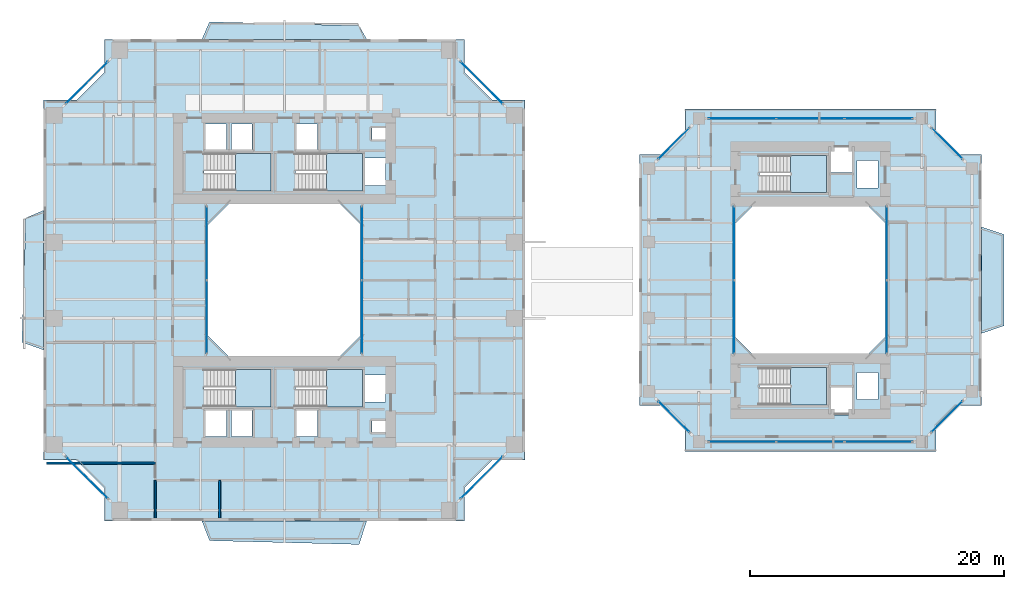
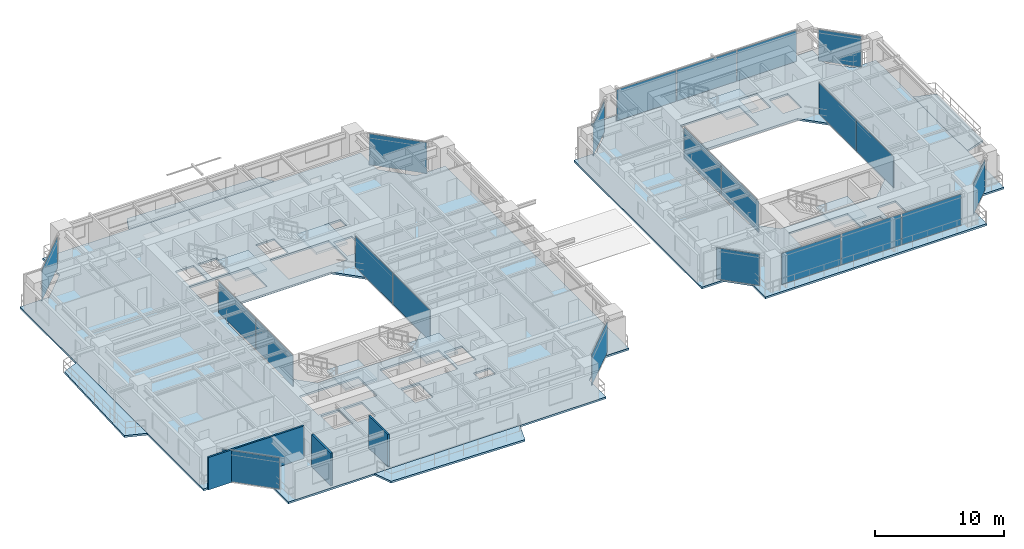
# One storey, part 10 of 23: 22 plates, 12 slabs, 3 walls, 20 elements without a shape of their own.
"""IFC4 building model written with IfcOpenShell, lengths in metres."""

from ifc_helpers import new_model, si_unit, direction, frame, frame_2d, origin, origin_2d, place, context, subcontext, project, spatial, polyline, rectangle, outline, extrude, source, transform, mapped, material, layer, layer_set, type_object, element, aggregate, save


model = new_model("IFC4")

# Units and contexts
model_context = context("Model", 3, precision=1e-05, world=origin(), true_north=direction((0.0, 1.0)))
body_context = subcontext(model_context, "Body", "Model", "MODEL_VIEW")
ifc_project = project(units=[si_unit("LENGTHUNIT", "METRE"), si_unit("AREAUNIT", "SQUARE_METRE"), si_unit("VOLUMEUNIT", "CUBIC_METRE"), si_unit("PLANEANGLEUNIT", "RADIAN"), si_unit("MASSUNIT", "GRAM", prefix="KILO"), si_unit("THERMODYNAMICTEMPERATUREUNIT", "KELVIN"), si_unit("POWERUNIT", "WATT")], contexts=[model_context])

# Site, building, storey
site_placement = place(None, origin())
site = spatial("IfcSite", under=ifc_project, at=site_placement, CompositionType="ELEMENT")
building_placement = place(site_placement, origin())
building = spatial("IfcBuilding", under=site, at=building_placement, Name="Qiaomeng Ring Towers", CompositionType="ELEMENT")
storey_placement = place(building_placement, frame((0.0, 0.0, 50.25)))
storey = spatial("IfcBuildingStorey", under=building, at=storey_placement, Name="L13", CompositionType="ELEMENT", Elevation=50.25)

# Slabs
ifc_material_1 = material(Name="Concrete C40", Category="concrete")
ifc_layer_1 = layer(ifc_material_1, 0.179931640625, Name="Concrete C40")
ifc_layer_set_1 = layer_set([ifc_layer_1], Name="Concrete C40")
slab_type_1 = type_object("IfcSlabType", Name="STR-SL-180", PredefinedType="FLOOR", material=ifc_layer_set_1)
slab_1_placement = place(storey_placement, frame((0.0, 0.0, -0.179931640625)))
element("IfcSlab", 1, at=slab_1_placement, inside=storey, type_object=slab_type_1, Name="L13 Tower 1 Annular Floor Slab", PredefinedType="FLOOR", context=body_context, shape_type="SweptSolid", body=[
    extrude(outline(polyline([(4.800048828125, 4.0), (33.199951171875, 4.0), (33.199951171875, 6.60009765625), (35.39990234375, 8.800048828125), (38.0, 8.800048828125), (38.0, 37.199951171875), (35.39990234375, 37.199951171875), (33.199951171875, 39.39990234375), (33.199951171875, 42.0), (4.800048828125, 42.0), (4.800048828125, 39.39990234375), (2.60009765625, 37.199951171875), (0.0, 37.199951171875), (0.0, 8.800048828125), (2.60009765625, 8.800048828125), (4.800048828125, 6.60009765625), (4.800048828125, 4.0)]), holes=[polyline([(12.780029296875, 10.679931640625), (12.780029296875, 12.820068359375), (14.419921875, 12.820068359375), (14.419921875, 10.679931640625), (12.780029296875, 10.679931640625)]), polyline([(14.830078125, 12.820068359375), (16.469970703125, 12.820068359375), (16.469970703125, 10.679931640625), (14.830078125, 10.679931640625), (14.830078125, 12.820068359375)]), polyline([(12.679931640625, 15.949951171875), (17.949951171875, 15.949951171875), (17.949951171875, 13.010009765625), (12.679931640625, 13.010009765625), (12.679931640625, 15.949951171875)]), polyline([(25.199951171875, 27.199951171875), (25.199951171875, 18.800048828125), (23.199951171875, 16.800048828125), (14.800048828125, 16.800048828125), (12.800048828125, 18.800048828125), (12.800048828125, 27.199951171875), (14.800048828125, 29.199951171875), (23.199951171875, 29.199951171875), (25.199951171875, 27.199951171875)]), polyline([(12.679931640625, 32.989990234375), (17.949951171875, 32.989990234375), (17.949951171875, 30.050048828125), (12.679931640625, 30.050048828125), (12.679931640625, 32.989990234375)]), polyline([(12.780029296875, 35.320068359375), (14.419921875, 35.320068359375), (14.419921875, 33.179931640625), (12.780029296875, 33.179931640625), (12.780029296875, 35.320068359375)]), polyline([(14.830078125, 35.320068359375), (16.469970703125, 35.320068359375), (16.469970703125, 33.179931640625), (14.830078125, 33.179931640625), (14.830078125, 35.320068359375)]), polyline([(19.97998046875, 35.320068359375), (21.6201171875, 35.320068359375), (21.6201171875, 33.179931640625), (19.97998046875, 33.179931640625), (19.97998046875, 35.320068359375)]), polyline([(25.919921875, 11.89990234375), (27.360107421875, 11.89990234375), (27.360107421875, 11.0), (25.919921875, 11.0), (25.919921875, 11.89990234375)]), polyline([(19.97998046875, 12.820068359375), (21.6201171875, 12.820068359375), (21.6201171875, 10.679931640625), (19.97998046875, 10.679931640625), (19.97998046875, 12.820068359375)]), polyline([(25.360107421875, 15.52001953125), (27.0, 15.52001953125), (27.0, 13.3798828125), (25.360107421875, 13.3798828125), (25.360107421875, 15.52001953125)]), polyline([(19.8798828125, 15.949951171875), (25.14990234375, 15.949951171875), (25.14990234375, 13.010009765625), (19.8798828125, 13.010009765625), (19.8798828125, 15.949951171875)]), polyline([(19.8798828125, 32.989990234375), (25.14990234375, 32.989990234375), (25.14990234375, 30.050048828125), (19.8798828125, 30.050048828125), (19.8798828125, 32.989990234375)]), polyline([(25.360107421875, 32.6201171875), (27.0, 32.6201171875), (27.0, 30.47998046875), (25.360107421875, 30.47998046875), (25.360107421875, 32.6201171875)]), polyline([(25.919921875, 35.0), (27.360107421875, 35.0), (27.360107421875, 34.10009765625), (25.919921875, 34.10009765625), (25.919921875, 35.0)])]), origin(), (0.0, 0.0, 1.0), 0.179931640625),
])
slab_2_placement = place(storey_placement, frame((0.0, 0.0, -0.179931640625)))
element("IfcSlab", 2, at=slab_2_placement, inside=storey, type_object=slab_type_1, Name="L13 Companion Tower 2 Annular Floor Slab", PredefinedType="FLOOR", context=body_context, shape_type="SweptSolid", body=[
    extrude(outline(polyline([(50.60009765625, 9.5), (70.39990234375, 9.5), (70.39990234375, 11.5), (72.0, 13.10009765625), (74.0, 13.10009765625), (74.0, 32.89990234375), (72.0, 32.89990234375), (70.39990234375, 34.5), (70.39990234375, 36.5), (50.60009765625, 36.5), (50.60009765625, 34.5), (49.0, 32.89990234375), (47.0, 32.89990234375), (47.0, 13.10009765625), (49.0, 13.10009765625), (50.60009765625, 11.5), (50.60009765625, 9.5)]), holes=[polyline([(62.1298828125, 12.3798828125), (62.1298828125, 14.52001953125), (63.77001953125, 14.52001953125), (63.77001953125, 12.3798828125), (62.1298828125, 12.3798828125)]), polyline([(56.47998046875, 13.159912109375), (56.47998046875, 16.10009765625), (61.75, 16.10009765625), (61.75, 13.159912109375), (56.47998046875, 13.159912109375)]), polyline([(64.179931640625, 13.580078125), (64.179931640625, 15.719970703125), (65.820068359375, 15.719970703125), (65.820068359375, 13.580078125), (64.179931640625, 13.580078125)]), polyline([(64.800048828125, 29.10009765625), (66.60009765625, 27.300048828125), (66.60009765625, 18.699951171875), (64.800048828125, 16.89990234375), (56.199951171875, 16.89990234375), (54.39990234375, 18.699951171875), (54.39990234375, 27.300048828125), (56.199951171875, 29.10009765625), (64.800048828125, 29.10009765625)]), polyline([(64.179931640625, 30.280029296875), (64.179931640625, 32.419921875), (65.820068359375, 32.419921875), (65.820068359375, 30.280029296875), (64.179931640625, 30.280029296875)]), polyline([(56.47998046875, 32.840087890625), (61.75, 32.840087890625), (61.75, 29.89990234375), (56.47998046875, 29.89990234375), (56.47998046875, 32.840087890625)]), polyline([(62.1298828125, 33.6201171875), (63.77001953125, 33.6201171875), (63.77001953125, 31.47998046875), (62.1298828125, 31.47998046875), (62.1298828125, 33.6201171875)])]), origin(), (0.0, 0.0, 1.0), 0.179931640625),
])
ifc_layer_2 = layer(ifc_material_1, 0.179931640625, Name="Concrete C40")
ifc_layer_set_2 = layer_set([ifc_layer_2], Name="Concrete C40")
slab_type_2 = type_object("IfcSlabType", Name="STR-SL-BAL", PredefinedType="FLOOR", material=ifc_layer_set_2)
slab_3_placement = place(storey_placement, frame((0.0, 0.0, -0.179931640625)))
element("IfcSlab", 3, at=slab_3_placement, inside=storey, type_object=slab_type_2, Name="L13 Tower 1 S Faceted Balcony Slab", PredefinedType="FLOOR", context=body_context, shape_type="SweptSolid", body=[
    extrude(outline(polyline([(24.89990234375, 2.14990234375), (13.10009765625, 2.449951171875), (12.5, 4.0), (25.5, 4.0), (24.89990234375, 2.14990234375)])), origin(), (0.0, 0.0, 1.0), 0.179931640625),
])
slab_4_placement = place(storey_placement, frame((0.0, 0.0, -0.179931640625)))
element("IfcSlab", 4, at=slab_4_placement, inside=storey, type_object=slab_type_2, Name="L13 Tower 1 N Faceted Balcony Slab", PredefinedType="FLOOR", context=body_context, shape_type="SweptSolid", body=[
    extrude(outline(polyline([(12.5, 42.0), (13.10009765625, 43.3701171875), (24.89990234375, 43.070068359375), (25.5, 42.0), (12.5, 42.0)])), origin(), (0.0, 0.0, 1.0), 0.179931640625),
])
slab_5_placement = place(storey_placement, frame((0.0, 0.0, -0.179931640625)))
element("IfcSlab", 5, at=slab_5_placement, inside=storey, type_object=slab_type_2, Name="L13 Tower 1 W Faceted Balcony Slab", PredefinedType="FLOOR", context=body_context, shape_type="SweptSolid", body=[
    extrude(outline(polyline([(0.0, 17.5), (-1.699951171875, 18.10009765625), (-1.39990234375, 27.89990234375), (0.0, 28.5), (0.0, 17.5)])), origin(), (0.0, 0.0, 1.0), 0.179931640625),
])
slab_6_placement = place(storey_placement, frame((0.0, 0.0, -0.179931640625)))
element("IfcSlab", 6, at=slab_6_placement, inside=storey, type_object=slab_type_2, Name="L13 Companion East Faceted Balcony Slab", PredefinedType="FLOOR", context=body_context, shape_type="SweptSolid", body=[
    extrude(outline(polyline([(75.77001953125, 26.60009765625), (75.77001953125, 19.39990234375), (74.0, 18.800048828125), (74.0, 27.199951171875), (75.77001953125, 26.60009765625)])), origin(), (0.0, 0.0, 1.0), 0.179931640625),
])

# Stair, slab
ifc_material_2 = material(Name="Precast concrete C40", Category="concrete")
stair_type = type_object("IfcStairType", Name="ARC-ST-325", PredefinedType="HALF_TURN_STAIR", material=ifc_material_2)
stair_1_placement = place(storey_placement, origin())
stair_1 = element("IfcStair", 7, at=stair_1_placement, inside=storey, type_object=stair_type, Name="L13 Tower 1 North Stair 1", PredefinedType="HALF_TURN_STAIR")
ifc_layer_3 = layer(ifc_material_1, 0.199951171875, Name="Concrete C40")
ifc_layer_set_3 = layer_set([ifc_layer_3], Name="Concrete C40")
slab_type_3 = type_object("IfcSlabType", Name="STR-SL-LANDING", PredefinedType="LANDING", material=ifc_layer_set_3)
slab_7_placement = place(storey_placement, frame((0.0, 0.0, 1.425048828125)))
slab_7 = element("IfcSlab", 8, at=slab_7_placement, type_object=slab_type_3, Name="ST1 landing 1", PredefinedType="LANDING", context=body_context, shape_type="SweptSolid", body=[
    extrude(outline(polyline([(15.139892578125, 30.050048828125), (17.949951171875, 30.050048828125), (17.949951171875, 32.989990234375), (15.139892578125, 32.989990234375), (15.139892578125, 30.050048828125)])), origin(), (0.0, 0.0, 1.0), 0.199951171875),
])
aggregate(stair_1, [slab_7])

stair_2_placement = place(storey_placement, origin())
stair_2 = element("IfcStair", 9, at=stair_2_placement, inside=storey, type_object=stair_type, Name="L13 Tower 1 North Stair 2", PredefinedType="HALF_TURN_STAIR")
slab_8_placement = place(storey_placement, frame((0.0, 0.0, 1.425048828125)))
slab_8 = element("IfcSlab", 10, at=slab_8_placement, type_object=slab_type_3, Name="ST2 landing 1", PredefinedType="LANDING", context=body_context, shape_type="SweptSolid", body=[
    extrude(outline(polyline([(22.340087890625, 30.050048828125), (25.14990234375, 30.050048828125), (25.14990234375, 32.989990234375), (22.340087890625, 32.989990234375), (22.340087890625, 30.050048828125)])), origin(), (0.0, 0.0, 1.0), 0.199951171875),
])
aggregate(stair_2, [slab_8])

stair_3_placement = place(storey_placement, origin())
stair_3 = element("IfcStair", 11, at=stair_3_placement, inside=storey, type_object=stair_type, Name="L13 Tower 1 South Stair 3", PredefinedType="HALF_TURN_STAIR")
slab_9_placement = place(storey_placement, frame((0.0, 0.0, 1.425048828125)))
slab_9 = element("IfcSlab", 12, at=slab_9_placement, type_object=slab_type_3, Name="ST3 landing 1", PredefinedType="LANDING", context=body_context, shape_type="SweptSolid", body=[
    extrude(outline(polyline([(15.139892578125, 13.010009765625), (17.949951171875, 13.010009765625), (17.949951171875, 15.949951171875), (15.139892578125, 15.949951171875), (15.139892578125, 13.010009765625)])), origin(), (0.0, 0.0, 1.0), 0.199951171875),
])
aggregate(stair_3, [slab_9])

stair_4_placement = place(storey_placement, origin())
stair_4 = element("IfcStair", 13, at=stair_4_placement, inside=storey, type_object=stair_type, Name="L13 Tower 1 South Stair 4", PredefinedType="HALF_TURN_STAIR")
slab_10_placement = place(storey_placement, frame((0.0, 0.0, 1.425048828125)))
slab_10 = element("IfcSlab", 14, at=slab_10_placement, type_object=slab_type_3, Name="ST4 landing 1", PredefinedType="LANDING", context=body_context, shape_type="SweptSolid", body=[
    extrude(outline(polyline([(22.340087890625, 13.010009765625), (25.14990234375, 13.010009765625), (25.14990234375, 15.949951171875), (22.340087890625, 15.949951171875), (22.340087890625, 13.010009765625)])), origin(), (0.0, 0.0, 1.0), 0.199951171875),
])
aggregate(stair_4, [slab_10])

stair_5_placement = place(storey_placement, origin())
stair_5 = element("IfcStair", 15, at=stair_5_placement, inside=storey, type_object=stair_type, Name="L13 Companion North Stair 5", PredefinedType="HALF_TURN_STAIR")
slab_11_placement = place(storey_placement, frame((0.0, 0.0, 1.425048828125)))
slab_11 = element("IfcSlab", 16, at=slab_11_placement, type_object=slab_type_3, Name="ST5 landing 1", PredefinedType="LANDING", context=body_context, shape_type="SweptSolid", body=[
    extrude(outline(polyline([(58.93994140625, 29.89990234375), (61.75, 29.89990234375), (61.75, 32.840087890625), (58.93994140625, 32.840087890625), (58.93994140625, 29.89990234375)])), origin(), (0.0, 0.0, 1.0), 0.199951171875),
])
aggregate(stair_5, [slab_11])

stair_6_placement = place(storey_placement, origin())
stair_6 = element("IfcStair", 17, at=stair_6_placement, inside=storey, type_object=stair_type, Name="L13 Companion South Stair 6", PredefinedType="HALF_TURN_STAIR")
slab_12_placement = place(storey_placement, frame((0.0, 0.0, 1.425048828125)))
slab_12 = element("IfcSlab", 18, at=slab_12_placement, type_object=slab_type_3, Name="ST6 landing 1", PredefinedType="LANDING", context=body_context, shape_type="SweptSolid", body=[
    extrude(outline(polyline([(58.93994140625, 13.159912109375), (61.75, 13.159912109375), (61.75, 16.10009765625), (58.93994140625, 16.10009765625), (58.93994140625, 13.159912109375)])), origin(), (0.0, 0.0, 1.0), 0.199951171875),
])
aggregate(stair_6, [slab_12])

# Curtain wall, plates
ifc_material_3 = material(Name="Fluorocarbon dark-grey aluminium", Category="aluminium")
ifc_layer_4 = layer(ifc_material_3, 0.139892578125, Name="Fluorocarbon dark-grey aluminium")
ifc_layer_set_4 = layer_set([ifc_layer_4], Name="Fluorocarbon dark-grey aluminium")
curtain_wall_type_1 = type_object("IfcCurtainWallType", Name="ARC-CW-4", PredefinedType="NOTDEFINED", material=ifc_layer_set_4)
curtain_wall_1_placement = place(storey_placement, origin())
curtain_wall_1 = element("IfcCurtainWall", 19, at=curtain_wall_1_placement, inside=storey, type_object=curtain_wall_type_1, Name="L13 Curtain Wall CW4", PredefinedType="NOTDEFINED")
ifc_material_4 = material(Name="Low-E dark-grey laminated double glazing", Category="glass")
ifc_layer_5 = layer(ifc_material_4, 0.028076171875, Name="Low-E dark-grey laminated double glazing")
ifc_layer_set_5 = layer_set([ifc_layer_5], Name="Low-E dark-grey laminated double glazing")
plate_type = type_object("IfcPlateType", Name="ARC-CWP-DARK", PredefinedType="CURTAIN_PANEL", material=ifc_layer_set_5)
shared_shape_1 = source(origin(), body_context, "Body", "SweptSolid", [
    extrude(rectangle(XDim=5.75244140625, YDim=0.028076171875, at=origin_2d()), origin(), (0.0, 0.0, 1.0), 2.93994140625),
])
plate_1_placement = place(storey_placement, frame((12.8798828125, 20.09130859375, 0.06494140625), z_axis=(0.0, 0.0, 1.0), x_axis=(0.0, 1.0, 0.0)))
plate_1 = element("IfcPlate", 20, at=plate_1_placement, type_object=plate_type, Name="CW4 panel 1.1", PredefinedType="CURTAIN_PANEL", context=body_context, shape_type="MappedRepresentation", body=[
    mapped(shared_shape_1, transform((0.0, 0.0, 0.0), x_axis=(1.0, 0.0, 0.0), y_axis=(0.0, 1.0, 0.0), z_axis=(0.0, 0.0, 1.0), scale=1.0)),
])
plate_2_placement = place(storey_placement, frame((12.8798828125, 25.90869140625, 0.06494140625), z_axis=(0.0, 0.0, 1.0), x_axis=(0.0, 1.0, 0.0)))
plate_2 = element("IfcPlate", 21, at=plate_2_placement, type_object=plate_type, Name="CW4 panel 2.1", PredefinedType="CURTAIN_PANEL", context=body_context, shape_type="MappedRepresentation", body=[
    mapped(shared_shape_1, transform((0.0, 0.0, 0.0), x_axis=(1.0, 0.0, 0.0), y_axis=(0.0, 1.0, 0.0), z_axis=(0.0, 0.0, 1.0), scale=1.0)),
])
aggregate(curtain_wall_1, [plate_1, plate_2])

curtain_wall_2_placement = place(storey_placement, origin())
curtain_wall_2 = element("IfcCurtainWall", 22, at=curtain_wall_2_placement, inside=storey, type_object=curtain_wall_type_1, Name="L13 Curtain Wall CW4", PredefinedType="NOTDEFINED")
plate_3_placement = place(storey_placement, frame((25.1201171875, 20.09130859375, 0.06494140625), z_axis=(0.0, 0.0, 1.0), x_axis=(0.0, 1.0, 0.0)))
plate_3 = element("IfcPlate", 23, at=plate_3_placement, type_object=plate_type, Name="CW4 panel 1.1", PredefinedType="CURTAIN_PANEL", context=body_context, shape_type="MappedRepresentation", body=[
    mapped(shared_shape_1, transform((0.0, 0.0, 0.0), x_axis=(1.0, 0.0, 0.0), y_axis=(0.0, 1.0, 0.0), z_axis=(0.0, 0.0, 1.0), scale=1.0)),
])
plate_4_placement = place(storey_placement, frame((25.1201171875, 25.90869140625, 0.06494140625), z_axis=(0.0, 0.0, 1.0), x_axis=(0.0, 1.0, 0.0)))
plate_4 = element("IfcPlate", 24, at=plate_4_placement, type_object=plate_type, Name="CW4 panel 2.1", PredefinedType="CURTAIN_PANEL", context=body_context, shape_type="MappedRepresentation", body=[
    mapped(shared_shape_1, transform((0.0, 0.0, 0.0), x_axis=(1.0, 0.0, 0.0), y_axis=(0.0, 1.0, 0.0), z_axis=(0.0, 0.0, 1.0), scale=1.0)),
])
aggregate(curtain_wall_2, [plate_3, plate_4])

curtain_wall_3_placement = place(storey_placement, origin())
curtain_wall_3 = element("IfcCurtainWall", 25, at=curtain_wall_3_placement, inside=storey, type_object=curtain_wall_type_1, Name="L13 Curtain Wall CW4", PredefinedType="NOTDEFINED")
plate_5_placement = place(storey_placement, frame((54.47998046875, 20.09130859375, 0.06494140625), z_axis=(0.0, 0.0, 1.0), x_axis=(0.0, 1.0, 0.0)))
plate_5 = element("IfcPlate", 26, at=plate_5_placement, type_object=plate_type, Name="CW4 panel 1.1", PredefinedType="CURTAIN_PANEL", context=body_context, shape_type="MappedRepresentation", body=[
    mapped(shared_shape_1, transform((0.0, 0.0, 0.0), x_axis=(1.0, 0.0, 0.0), y_axis=(0.0, 1.0, 0.0), z_axis=(0.0, 0.0, 1.0), scale=1.0)),
])
plate_6_placement = place(storey_placement, frame((54.47998046875, 25.90869140625, 0.06494140625), z_axis=(0.0, 0.0, 1.0), x_axis=(0.0, 1.0, 0.0)))
plate_6 = element("IfcPlate", 27, at=plate_6_placement, type_object=plate_type, Name="CW4 panel 2.1", PredefinedType="CURTAIN_PANEL", context=body_context, shape_type="MappedRepresentation", body=[
    mapped(shared_shape_1, transform((0.0, 0.0, 0.0), x_axis=(1.0, 0.0, 0.0), y_axis=(0.0, 1.0, 0.0), z_axis=(0.0, 0.0, 1.0), scale=1.0)),
])
aggregate(curtain_wall_3, [plate_5, plate_6])

curtain_wall_4_placement = place(storey_placement, origin())
curtain_wall_4 = element("IfcCurtainWall", 28, at=curtain_wall_4_placement, inside=storey, type_object=curtain_wall_type_1, Name="L13 Curtain Wall CW4", PredefinedType="NOTDEFINED")
plate_7_placement = place(storey_placement, frame((66.52001953125, 20.09130859375, 0.06494140625), z_axis=(0.0, 0.0, 1.0), x_axis=(0.0, 1.0, 0.0)))
plate_7 = element("IfcPlate", 29, at=plate_7_placement, type_object=plate_type, Name="CW4 panel 1.1", PredefinedType="CURTAIN_PANEL", context=body_context, shape_type="MappedRepresentation", body=[
    mapped(shared_shape_1, transform((0.0, 0.0, 0.0), x_axis=(1.0, 0.0, 0.0), y_axis=(0.0, 1.0, 0.0), z_axis=(0.0, 0.0, 1.0), scale=1.0)),
])
plate_8_placement = place(storey_placement, frame((66.52001953125, 25.90869140625, 0.06494140625), z_axis=(0.0, 0.0, 1.0), x_axis=(0.0, 1.0, 0.0)))
plate_8 = element("IfcPlate", 30, at=plate_8_placement, type_object=plate_type, Name="CW4 panel 2.1", PredefinedType="CURTAIN_PANEL", context=body_context, shape_type="MappedRepresentation", body=[
    mapped(shared_shape_1, transform((0.0, 0.0, 0.0), x_axis=(1.0, 0.0, 0.0), y_axis=(0.0, 1.0, 0.0), z_axis=(0.0, 0.0, 1.0), scale=1.0)),
])
aggregate(curtain_wall_4, [plate_7, plate_8])

# Curtain wall, plate
ifc_layer_6 = layer(ifc_material_3, 0.159912109375, Name="Fluorocarbon dark-grey aluminium")
ifc_layer_set_6 = layer_set([ifc_layer_6], Name="Fluorocarbon dark-grey aluminium")
curtain_wall_type_2 = type_object("IfcCurtainWallType", Name="ARC-CW-2", PredefinedType="NOTDEFINED", material=ifc_layer_set_6)
curtain_wall_5_placement = place(storey_placement, origin())
curtain_wall_5 = element("IfcCurtainWall", 31, at=curtain_wall_5_placement, inside=storey, type_object=curtain_wall_type_2, Name="L13 Curtain Wall CW2", PredefinedType="NOTDEFINED")
shared_shape_2 = source(origin(), body_context, "Body", "SweptSolid", [
    extrude(rectangle(XDim=4.6259765625, YDim=0.028076171875, at=origin_2d()), origin(), (0.0, 0.0, 1.0), 2.93994140625),
])
plate_9_placement = place(storey_placement, frame((34.574951171875, 7.425048828125, 0.06494140625), z_axis=(0.0, 0.0, 1.0), x_axis=(0.707106781187, 0.707106781187, 0.0)))
plate_9 = element("IfcPlate", 32, at=plate_9_placement, type_object=plate_type, Name="CW2 panel 1.1", PredefinedType="CURTAIN_PANEL", context=body_context, shape_type="MappedRepresentation", body=[
    mapped(shared_shape_2, transform((0.0, 0.0, 0.0), x_axis=(1.0, 0.0, 0.0), y_axis=(0.0, 1.0, 0.0), z_axis=(0.0, 0.0, 1.0), scale=1.0)),
])
aggregate(curtain_wall_5, [plate_9])

curtain_wall_6_placement = place(storey_placement, origin())
curtain_wall_6 = element("IfcCurtainWall", 33, at=curtain_wall_6_placement, inside=storey, type_object=curtain_wall_type_2, Name="L13 Curtain Wall CW2", PredefinedType="NOTDEFINED")
plate_10_placement = place(storey_placement, frame((34.574951171875, 38.574951171875, 0.06494140625), z_axis=(0.0, 0.0, 1.0), x_axis=(-0.707106781187, 0.707106781187, 0.0)))
plate_10 = element("IfcPlate", 34, at=plate_10_placement, type_object=plate_type, Name="CW2 panel 1.1", PredefinedType="CURTAIN_PANEL", context=body_context, shape_type="MappedRepresentation", body=[
    mapped(shared_shape_2, transform((0.0, 0.0, 0.0), x_axis=(1.0, 0.0, 0.0), y_axis=(0.0, 1.0, 0.0), z_axis=(0.0, 0.0, 1.0), scale=1.0)),
])
aggregate(curtain_wall_6, [plate_10])

curtain_wall_7_placement = place(storey_placement, origin())
curtain_wall_7 = element("IfcCurtainWall", 35, at=curtain_wall_7_placement, inside=storey, type_object=curtain_wall_type_2, Name="L13 Curtain Wall CW2", PredefinedType="NOTDEFINED")
plate_11_placement = place(storey_placement, frame((3.425048828125, 38.574951171875, 0.06494140625), z_axis=(0.0, 0.0, 1.0), x_axis=(-0.707106781187, -0.707106781187, 0.0)))
plate_11 = element("IfcPlate", 36, at=plate_11_placement, type_object=plate_type, Name="CW2 panel 1.1", PredefinedType="CURTAIN_PANEL", context=body_context, shape_type="MappedRepresentation", body=[
    mapped(shared_shape_2, transform((0.0, 0.0, 0.0), x_axis=(1.0, 0.0, 0.0), y_axis=(0.0, 1.0, 0.0), z_axis=(0.0, 0.0, 1.0), scale=1.0)),
])
aggregate(curtain_wall_7, [plate_11])

curtain_wall_8_placement = place(storey_placement, origin())
curtain_wall_8 = element("IfcCurtainWall", 37, at=curtain_wall_8_placement, inside=storey, type_object=curtain_wall_type_2, Name="L13 Curtain Wall CW2", PredefinedType="NOTDEFINED")
plate_12_placement = place(storey_placement, frame((3.425048828125, 7.425048828125, 0.06494140625), z_axis=(0.0, 0.0, 1.0), x_axis=(0.707106781187, -0.707106781187, 0.0)))
plate_12 = element("IfcPlate", 38, at=plate_12_placement, type_object=plate_type, Name="CW2 panel 1.1", PredefinedType="CURTAIN_PANEL", context=body_context, shape_type="MappedRepresentation", body=[
    mapped(shared_shape_2, transform((0.0, 0.0, 0.0), x_axis=(1.0, 0.0, 0.0), y_axis=(0.0, 1.0, 0.0), z_axis=(0.0, 0.0, 1.0), scale=1.0)),
])
aggregate(curtain_wall_8, [plate_12])

# Curtain wall, plates
ifc_layer_7 = layer(ifc_material_3, 0.14990234375, Name="Fluorocarbon dark-grey aluminium")
ifc_layer_set_7 = layer_set([ifc_layer_7], Name="Fluorocarbon dark-grey aluminium")
curtain_wall_type_3 = type_object("IfcCurtainWallType", Name="ARC-CW-5", PredefinedType="NOTDEFINED", material=ifc_layer_set_7)
curtain_wall_9_placement = place(storey_placement, origin())
curtain_wall_9 = element("IfcCurtainWall", 39, at=curtain_wall_9_placement, inside=storey, type_object=curtain_wall_type_3, Name="L13 Curtain Wall CW5", PredefinedType="NOTDEFINED")
shared_shape_3 = source(origin(), body_context, "Body", "SweptSolid", [
    extrude(rectangle(XDim=5.284912109375, YDim=0.028076171875, at=origin_2d()), origin(), (0.0, 0.0, 1.0), 2.93994140625),
])
plate_13_placement = place(storey_placement, frame((55.12744140625, 35.75, 0.06494140625), z_axis=(0.0, 0.0, 1.0), x_axis=(1.0, 0.0, 0.0)))
plate_13 = element("IfcPlate", 40, at=plate_13_placement, type_object=plate_type, Name="CW5 panel 1.1", PredefinedType="CURTAIN_PANEL", context=body_context, shape_type="MappedRepresentation", body=[
    mapped(shared_shape_3, transform((0.0, 0.0, 0.0), x_axis=(1.0, 0.0, 0.0), y_axis=(0.0, 1.0, 0.0), z_axis=(0.0, 0.0, 1.0), scale=1.0)),
])
plate_14_placement = place(storey_placement, frame((65.87255859375, 35.75, 0.06494140625), z_axis=(0.0, 0.0, 1.0), x_axis=(1.0, 0.0, 0.0)))
plate_14 = element("IfcPlate", 41, at=plate_14_placement, type_object=plate_type, Name="CW5 panel 3.1", PredefinedType="CURTAIN_PANEL", context=body_context, shape_type="MappedRepresentation", body=[
    mapped(shared_shape_3, transform((0.0, 0.0, 0.0), x_axis=(1.0, 0.0, 0.0), y_axis=(0.0, 1.0, 0.0), z_axis=(0.0, 0.0, 1.0), scale=1.0)),
])

curtain_wall_10_placement = place(storey_placement, origin())
curtain_wall_10 = element("IfcCurtainWall", 42, at=curtain_wall_10_placement, inside=storey, type_object=curtain_wall_type_3, Name="L13 Curtain Wall CW5", PredefinedType="NOTDEFINED")
plate_15_placement = place(storey_placement, frame((55.12744140625, 10.25, 0.06494140625), z_axis=(0.0, 0.0, 1.0), x_axis=(1.0, 0.0, 0.0)))
plate_15 = element("IfcPlate", 43, at=plate_15_placement, type_object=plate_type, Name="CW5 panel 1.1", PredefinedType="CURTAIN_PANEL", context=body_context, shape_type="MappedRepresentation", body=[
    mapped(shared_shape_3, transform((0.0, 0.0, 0.0), x_axis=(1.0, 0.0, 0.0), y_axis=(0.0, 1.0, 0.0), z_axis=(0.0, 0.0, 1.0), scale=1.0)),
])
plate_16_placement = place(storey_placement, frame((65.87255859375, 10.25, 0.06494140625), z_axis=(0.0, 0.0, 1.0), x_axis=(1.0, 0.0, 0.0)))
plate_16 = element("IfcPlate", 44, at=plate_16_placement, type_object=plate_type, Name="CW5 panel 3.1", PredefinedType="CURTAIN_PANEL", context=body_context, shape_type="MappedRepresentation", body=[
    mapped(shared_shape_3, transform((0.0, 0.0, 0.0), x_axis=(1.0, 0.0, 0.0), y_axis=(0.0, 1.0, 0.0), z_axis=(0.0, 0.0, 1.0), scale=1.0)),
])

# Plate
shared_shape_4 = source(origin(), body_context, "Body", "SweptSolid", [
    extrude(rectangle(XDim=5.320068359375, YDim=0.028076171875, at=origin_2d()), origin(), (0.0, 0.0, 1.0), 2.93994140625),
])
plate_17_placement = place(storey_placement, frame((60.5, 35.75, 0.06494140625), z_axis=(0.0, 0.0, 1.0), x_axis=(1.0, 0.0, 0.0)))
plate_17 = element("IfcPlate", 45, at=plate_17_placement, type_object=plate_type, Name="CW5 panel 2.1", PredefinedType="CURTAIN_PANEL", context=body_context, shape_type="MappedRepresentation", body=[
    mapped(shared_shape_4, transform((0.0, 0.0, 0.0), x_axis=(1.0, 0.0, 0.0), y_axis=(0.0, 1.0, 0.0), z_axis=(0.0, 0.0, 1.0), scale=1.0)),
])

aggregate(curtain_wall_9, [plate_13, plate_17, plate_14])

plate_18_placement = place(storey_placement, frame((60.5, 10.25, 0.06494140625), z_axis=(0.0, 0.0, 1.0), x_axis=(1.0, 0.0, 0.0)))
plate_18 = element("IfcPlate", 46, at=plate_18_placement, type_object=plate_type, Name="CW5 panel 2.1", PredefinedType="CURTAIN_PANEL", context=body_context, shape_type="MappedRepresentation", body=[
    mapped(shared_shape_4, transform((0.0, 0.0, 0.0), x_axis=(1.0, 0.0, 0.0), y_axis=(0.0, 1.0, 0.0), z_axis=(0.0, 0.0, 1.0), scale=1.0)),
])

aggregate(curtain_wall_10, [plate_15, plate_18, plate_16])

# Curtain wall, plate
curtain_wall_11_placement = place(storey_placement, origin())
curtain_wall_11 = element("IfcCurtainWall", 47, at=curtain_wall_11_placement, inside=storey, type_object=curtain_wall_type_3, Name="L13 Curtain Wall CW5", PredefinedType="NOTDEFINED")
shared_shape_5 = source(origin(), body_context, "Body", "SweptSolid", [
    extrude(rectangle(XDim=3.423828125, YDim=0.028076171875, at=origin_2d()), origin(), (0.0, 0.0, 1.0), 2.93994140625),
])
plate_19_placement = place(storey_placement, frame((71.27490234375, 12.22509765625, 0.06494140625), z_axis=(0.0, 0.0, 1.0), x_axis=(0.707106781187, 0.707106781187, 0.0)))
plate_19 = element("IfcPlate", 48, at=plate_19_placement, type_object=plate_type, Name="CW5 panel 1.1", PredefinedType="CURTAIN_PANEL", context=body_context, shape_type="MappedRepresentation", body=[
    mapped(shared_shape_5, transform((0.0, 0.0, 0.0), x_axis=(1.0, 0.0, 0.0), y_axis=(0.0, 1.0, 0.0), z_axis=(0.0, 0.0, 1.0), scale=1.0)),
])
aggregate(curtain_wall_11, [plate_19])

curtain_wall_12_placement = place(storey_placement, origin())
curtain_wall_12 = element("IfcCurtainWall", 49, at=curtain_wall_12_placement, inside=storey, type_object=curtain_wall_type_3, Name="L13 Curtain Wall CW5", PredefinedType="NOTDEFINED")
plate_20_placement = place(storey_placement, frame((71.27490234375, 33.77490234375, 0.06494140625), z_axis=(0.0, 0.0, 1.0), x_axis=(-0.707106781187, 0.707106781187, 0.0)))
plate_20 = element("IfcPlate", 50, at=plate_20_placement, type_object=plate_type, Name="CW5 panel 1.1", PredefinedType="CURTAIN_PANEL", context=body_context, shape_type="MappedRepresentation", body=[
    mapped(shared_shape_5, transform((0.0, 0.0, 0.0), x_axis=(1.0, 0.0, 0.0), y_axis=(0.0, 1.0, 0.0), z_axis=(0.0, 0.0, 1.0), scale=1.0)),
])
aggregate(curtain_wall_12, [plate_20])

curtain_wall_13_placement = place(storey_placement, origin())
curtain_wall_13 = element("IfcCurtainWall", 51, at=curtain_wall_13_placement, inside=storey, type_object=curtain_wall_type_3, Name="L13 Curtain Wall CW5", PredefinedType="NOTDEFINED")
plate_21_placement = place(storey_placement, frame((49.72509765625, 33.77490234375, 0.06494140625), z_axis=(0.0, 0.0, 1.0), x_axis=(-0.707106781187, -0.707106781187, 0.0)))
plate_21 = element("IfcPlate", 52, at=plate_21_placement, type_object=plate_type, Name="CW5 panel 1.1", PredefinedType="CURTAIN_PANEL", context=body_context, shape_type="MappedRepresentation", body=[
    mapped(shared_shape_5, transform((0.0, 0.0, 0.0), x_axis=(1.0, 0.0, 0.0), y_axis=(0.0, 1.0, 0.0), z_axis=(0.0, 0.0, 1.0), scale=1.0)),
])
aggregate(curtain_wall_13, [plate_21])

curtain_wall_14_placement = place(storey_placement, origin())
curtain_wall_14 = element("IfcCurtainWall", 53, at=curtain_wall_14_placement, inside=storey, type_object=curtain_wall_type_3, Name="L13 Curtain Wall CW5", PredefinedType="NOTDEFINED")
plate_22_placement = place(storey_placement, frame((49.72509765625, 12.22509765625, 0.06494140625), z_axis=(0.0, 0.0, 1.0), x_axis=(0.707106781187, -0.707106781187, 0.0)))
plate_22 = element("IfcPlate", 54, at=plate_22_placement, type_object=plate_type, Name="CW5 panel 1.1", PredefinedType="CURTAIN_PANEL", context=body_context, shape_type="MappedRepresentation", body=[
    mapped(shared_shape_5, transform((0.0, 0.0, 0.0), x_axis=(1.0, 0.0, 0.0), y_axis=(0.0, 1.0, 0.0), z_axis=(0.0, 0.0, 1.0), scale=1.0)),
])
aggregate(curtain_wall_14, [plate_22])

# Walls
ifc_material_5 = material(Name="Gypsum fireboard steel-stud partition", Category="steel")
ifc_layer_8 = layer(ifc_material_5, 0.14990234375, Name="Gypsum fireboard steel-stud partition")
ifc_layer_set_8 = layer_set([ifc_layer_8], Name="Gypsum fireboard steel-stud partition")
wall_type = type_object("IfcWallType", Name="ARC-WL-PW3", PredefinedType="PARTITIONING", material=ifc_layer_set_8)
for number, where, z_axis, x_axis, name in (
    (55, (13.89990234375, 4.25, 0.0), (0.0, 0.0, 1.0), (0.0, 1.0, 0.0), "L13 Interior Wall PW3"),
    (56, (8.820068359375, 4.25, 0.0), (0.0, 0.0, 1.0), (0.0, 1.0, 0.0), "L13 Interior Wall PW3"),
):
    element("IfcWall", number, at=place(storey_placement, frame(where, z_axis=z_axis, x_axis=x_axis)), inside=storey, type_object=wall_type, Name=name, PredefinedType="PARTITIONING", context=body_context, shape_type="SweptSolid", body=[
        extrude(rectangle(XDim=2.9599609375, YDim=0.14990234375, at=frame_2d((1.47998046875, 0.0))), origin(), (0.0, 0.0, 1.0), 3.070068359375),
    ])
wall_placement = place(storey_placement, frame((0.25, 8.570068359375, 0.0), z_axis=(0.0, 0.0, 1.0), x_axis=(1.0, 0.0, 0.0)))
element("IfcWall", 57, at=wall_placement, inside=storey, type_object=wall_type, Name="L13 Interior Wall PW3", PredefinedType="PARTITIONING", context=body_context, shape_type="SweptSolid", body=[
    extrude(rectangle(XDim=8.570068359375, YDim=0.14990234375, at=frame_2d((4.28515625, 0.0))), origin(), (0.0, 0.0, 1.0), 3.070068359375),
])

save(model, "model.ifc")
